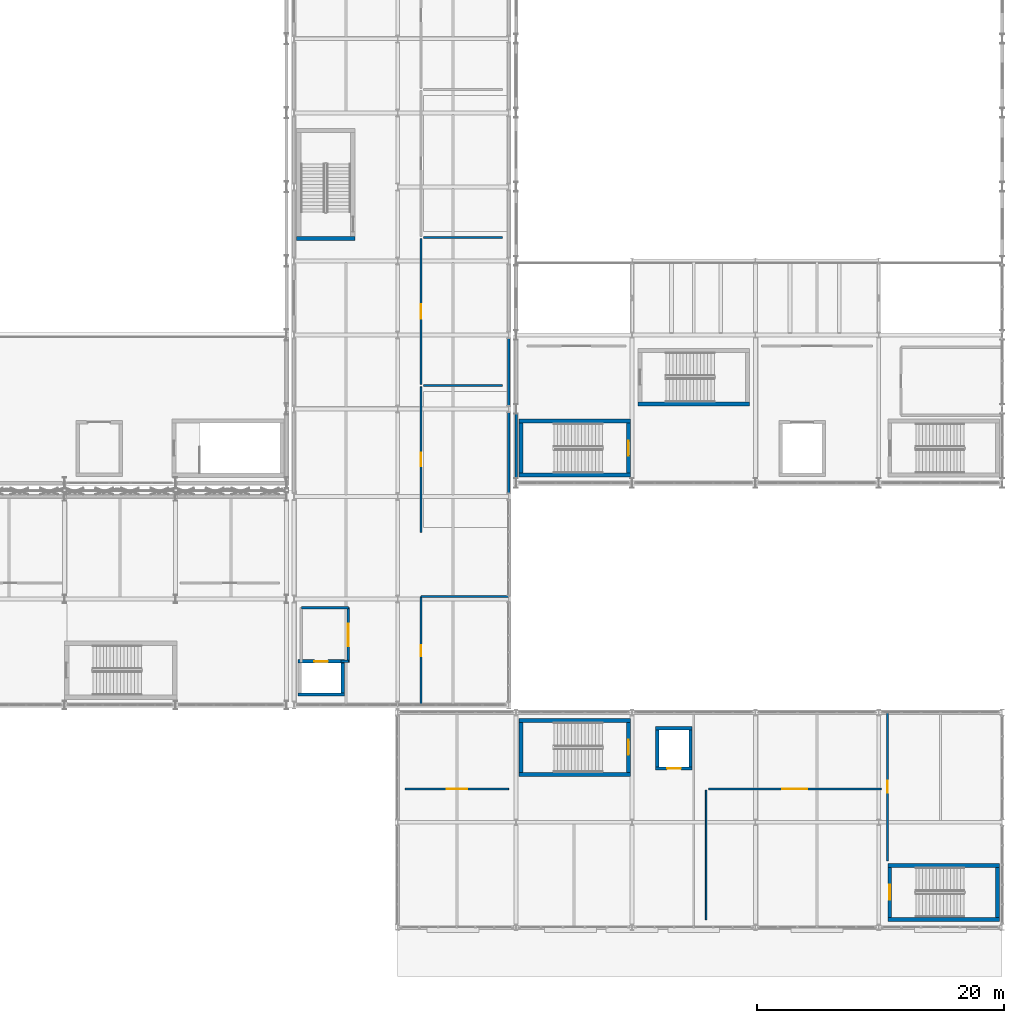
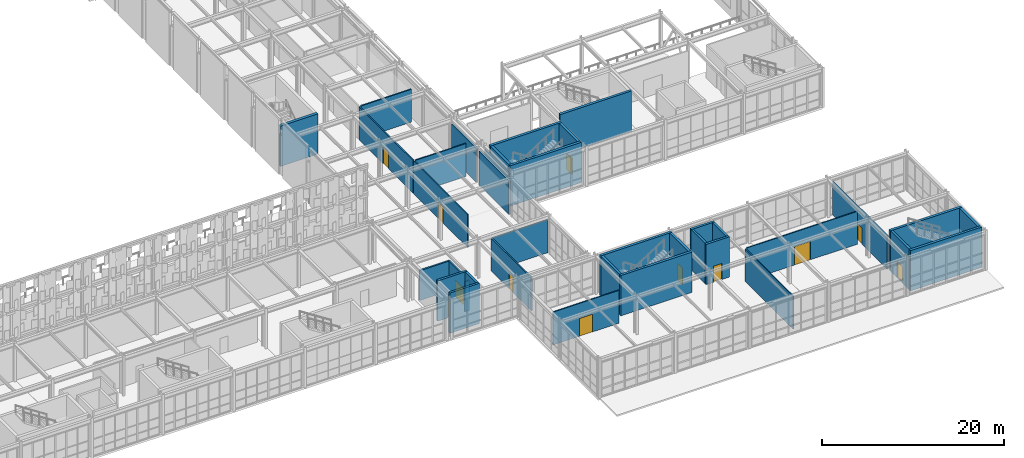
# One storey, part 160 of 210: 37 walls, 12 doors, 12 openings.
"""IFC4 building model written with IfcOpenShell, lengths in metres."""

from ifc_helpers import new_model, si_unit, direction, frame, frame_2d, origin, place, context, subcontext, project, spatial, rectangle, extrude, material, layer, layer_set, type_object, element, fill, save


model = new_model("IFC4")

# Units and contexts
model_context = context("Model", 3, precision=1e-05, world=origin(), true_north=direction((0.0, 1.0)))
body_context = subcontext(model_context, "Body", "Model", "MODEL_VIEW")
ifc_project = project(units=[si_unit("LENGTHUNIT", "METRE"), si_unit("AREAUNIT", "SQUARE_METRE"), si_unit("VOLUMEUNIT", "CUBIC_METRE"), si_unit("PLANEANGLEUNIT", "RADIAN"), si_unit("MASSUNIT", "GRAM", prefix="KILO")], contexts=[model_context])

# Site, building, storey
site_placement = place(None, origin())
site = spatial("IfcSite", under=ifc_project, at=site_placement, CompositionType="ELEMENT")
building_placement = place(site_placement, origin())
building = spatial("IfcBuilding", under=site, at=building_placement, Name="Kaldris Quays Convention Centre", CompositionType="ELEMENT")
storey_placement = place(building_placement, frame((0.0, 0.0, 6.0)))
storey = spatial("IfcBuildingStorey", under=building, at=storey_placement, Name="L01", CompositionType="ELEMENT", Elevation=6.0)

# Walls
ifc_material_1 = material(Name="Anodized aluminium insulated cassette", Category="aluminium")
ifc_layer_1 = layer(ifc_material_1, 0.221923828125)
ifc_layer_set_1 = layer_set([ifc_layer_1], Name="Anodized aluminium insulated cassette")
wall_type_1 = type_object("IfcWallType", Name="EXTERIOR WALL EW06", PredefinedType="STANDARD", material=ifc_layer_set_1)
wall_1_placement = place(storey_placement, frame((164.0, 55.196044921875, 0.0), z_axis=(0.0, 0.0, 1.0), x_axis=(0.0, 1.0, 0.0)))
element("IfcWall", 1, at=wall_1_placement, inside=storey, type_object=wall_type_1, Name="L01 Exterior Wall EW06 289", PredefinedType="STANDARD", context=body_context, shape_type="SweptSolid", body=[
    extrude(rectangle(XDim=6.508056640625, YDim=0.221923828125, at=frame_2d((3.25390625, 0.0))), origin(), (0.0, 0.0, 1.0), 4.51806640625),
])
wall_2_placement = place(storey_placement, frame((164.0, 62.2958984375, 0.0), z_axis=(0.0, 0.0, 1.0), x_axis=(0.0, 1.0, 0.0)))
element("IfcWall", 2, at=wall_2_placement, inside=storey, type_object=wall_type_1, Name="L01 Exterior Wall EW06 291", PredefinedType="STANDARD", context=body_context, shape_type="SweptSolid", body=[
    extrude(rectangle(XDim=5.408203125, YDim=0.221923828125, at=frame_2d((2.7041015625, 0.0))), origin(), (0.0, 0.0, 1.0), 4.51806640625),
])
ifc_layer_2 = layer(ifc_material_1, 0.201904296875)
ifc_layer_set_2 = layer_set([ifc_layer_2], Name="Anodized aluminium insulated cassette")
wall_type_2 = type_object("IfcWallType", Name="EXTERIOR WALL EW07", PredefinedType="STANDARD", material=ifc_layer_set_2)
wall_3_placement = place(storey_placement, frame((164.60009765625, 56.39599609375, 0.0), z_axis=(0.0, 0.0, 1.0), x_axis=(0.0, 1.0, 0.0)))
element("IfcWall", 3, at=wall_3_placement, inside=storey, type_object=wall_type_2, Name="L01 Exterior Wall EW07 120", PredefinedType="STANDARD", context=body_context, shape_type="SweptSolid", body=[
    extrude(rectangle(XDim=5.2080078125, YDim=0.201904296875, at=frame_2d((2.60400390625, 0.0))), origin(), (0.0, 0.0, 1.0), 4.577880859375),
])

# Wall, opening, door
ifc_material_2 = material(Name="Concrete C35/45", Category="concrete")
ifc_layer_3 = layer(ifc_material_2, 0.199951171875)
ifc_layer_set_3 = layer_set([ifc_layer_3], Name="Concrete C35/45")
wall_type_3 = type_object("IfcWallType", Name="INTERIOR WALL IW01", PredefinedType="PARTITIONING", material=ifc_layer_set_3)
wall_4_placement = place(storey_placement, frame((151.0, 41.449951171875, 0.0), z_axis=(0.0, 0.0, 1.0), x_axis=(0.0, 1.0, 0.0)))
wall_4 = element("IfcWall", 4, at=wall_4_placement, inside=storey, type_object=wall_type_3, Name="L01 Firefighting Lift Lobby FL02 Wall E", PredefinedType="PARTITIONING", context=body_context, shape_type="SweptSolid", body=[
    extrude(rectangle(XDim=4.449951171875, YDim=0.199951171875, at=frame_2d((2.22509765625, 0.0))), origin(), (0.0, 0.0, 1.0), 4.0),
])
opening_1_placement = place(wall_4_placement, frame((1.324951171875, 0.0, 0.0)))
opening_1 = element("IfcOpeningElement", 5, at=opening_1_placement, cuts=wall_4, Name="Opening ID02", PredefinedType="OPENING", context=body_context, shape_type="SweptSolid", body=[
    extrude(rectangle(XDim=1.800048828125, YDim=2.199951171875, at=frame_2d((0.89990234375, 1.10009765625))), frame((0.0, 0.10986328125, 0.0), z_axis=(0.0, -1.0, 0.0), x_axis=(1.0, 0.0, 0.0)), (0.0, 0.0, 1.0), 0.219970703125),
])
ifc_material_3 = material(Name="Steel S355J2 fire-resisting door", Category="steel")
door_type_1 = type_object("IfcDoorType", Name="INTERIOR DOOR ID02", OperationType="DOUBLE_DOOR_SINGLE_SWING", PredefinedType="DOOR", material=ifc_material_3)
door_1_placement = place(opening_1_placement, frame((1.800048828125, 0.0, 0.0), z_axis=(0.0, 0.0, 1.0), x_axis=(-1.0, 0.0, 0.0)))
door_1 = element("IfcDoor", 6, at=door_1_placement, inside=storey, type_object=door_type_1, Name="L01 Firefighting Lift Lobby FL02 Fire Door", OperationType="DOUBLE_DOOR_SINGLE_SWING", OverallHeight=2.199951171875, OverallWidth=1.800048828125, PredefinedType="DOOR", context=body_context, shape_type="SweptSolid", body=[
    extrude(rectangle(XDim=1.800048828125, YDim=2.199951171875, at=frame_2d((0.89990234375, 1.10009765625))), frame((0.0, 0.02490234375, 0.0), z_axis=(0.0, -1.0, 0.0), x_axis=(1.0, 0.0, 0.0)), (0.0, 0.0, 1.0), 0.050048828125),
])
fill(opening_1, door_1)

# Walls
wall_5_placement = place(storey_placement, frame((147.199951171875, 45.89990234375, 0.0), z_axis=(0.0, 0.0, 1.0), x_axis=(1.0, 0.0, 0.0)))
element("IfcWall", 7, at=wall_5_placement, inside=storey, type_object=wall_type_3, Name="L01 Firefighting Lift Lobby FL02 Wall N", PredefinedType="PARTITIONING", context=body_context, shape_type="SweptSolid", body=[
    extrude(rectangle(XDim=3.800048828125, YDim=0.199951171875, at=frame_2d((1.89990234375, 0.0))), origin(), (0.0, 0.0, 1.0), 4.0),
])
wall_6_placement = place(storey_placement, frame((150.39990234375, 41.56005859375, 0.0), z_axis=(0.0, 0.0, 1.0), x_axis=(1.0, 0.0, 0.0)))
element("IfcWall", 8, at=wall_6_placement, inside=storey, type_object=wall_type_3, Name="L01 Firefighting Lift Lobby FL02 Wall S", PredefinedType="PARTITIONING", context=body_context, shape_type="SweptSolid", body=[
    extrude(rectangle(XDim=0.60009765625, YDim=0.199951171875, at=frame_2d((0.300048828125, 0.0))), origin(), (0.0, 0.0, 1.0), 4.0),
])

# Wall, opening, door
ifc_material_4 = material(Name="Acoustic gypsum stud partition", Category="gypsum")
ifc_layer_4 = layer(ifc_material_4, 0.177978515625)
ifc_layer_set_4 = layer_set([ifc_layer_4], Name="Acoustic gypsum stud partition")
wall_type_4 = type_object("IfcWallType", Name="INTERIOR WALL IW02", PredefinedType="PARTITIONING", material=ifc_layer_set_4)
wall_7_placement = place(storey_placement, frame((156.89990234375, 38.0, 0.0), z_axis=(0.0, 0.0, 1.0), x_axis=(0.0, 1.0, 0.0)))
wall_7 = element("IfcWall", 9, at=wall_7_placement, inside=storey, type_object=wall_type_4, Name="L01 Interior Wall IW02 60", PredefinedType="PARTITIONING", context=body_context, shape_type="SweptSolid", body=[
    extrude(rectangle(XDim=8.800048828125, YDim=0.177978515625, at=frame_2d((4.39990234375, 0.0))), origin(), (0.0, 0.0, 1.0), 4.39990234375),
])
opening_2_placement = place(wall_7_placement, frame((3.949951171875, 0.0, 0.0)))
opening_2 = element("IfcOpeningElement", 10, at=opening_2_placement, cuts=wall_7, Name="Opening ID12", PredefinedType="OPENING", context=body_context, shape_type="SweptSolid", body=[
    extrude(rectangle(XDim=0.89990234375, YDim=2.080078125, at=frame_2d((0.449951171875, 1.0400390625))), frame((0.0, 0.09912109375, 0.0), z_axis=(0.0, -1.0, 0.0), x_axis=(1.0, 0.0, 0.0)), (0.0, 0.0, 1.0), 0.197998046875),
])
ifc_material_5 = material(Name="Moisture-resistant sanitary room door", Category="wood")
door_type_2 = type_object("IfcDoorType", Name="INTERIOR DOOR ID12", OperationType="NOTDEFINED", PredefinedType="DOOR", material=ifc_material_5)
door_2_placement = place(opening_2_placement, origin())
door_2 = element("IfcDoor", 11, at=door_2_placement, inside=storey, type_object=door_type_2, Name="L01 Interior Door ID12 42", OperationType="SINGLE_SWING_RIGHT", OverallHeight=2.080078125, OverallWidth=0.89990234375, PredefinedType="DOOR", context=body_context, shape_type="SweptSolid", body=[
    extrude(rectangle(XDim=0.89990234375, YDim=2.080078125, at=frame_2d((0.449951171875, 1.0400390625))), frame((0.0, 0.02490234375, 0.0), z_axis=(0.0, -1.0, 0.0), x_axis=(1.0, 0.0, 0.0)), (0.0, 0.0, 1.0), 0.050048828125),
])
fill(opening_2, door_2)

# Wall
wall_8_placement = place(storey_placement, frame((156.89990234375, 46.800048828125, 0.0), z_axis=(0.0, 0.0, 1.0), x_axis=(1.0, 0.0, 0.0)))
element("IfcWall", 12, at=wall_8_placement, inside=storey, type_object=wall_type_4, Name="L01 Interior Wall IW02 61", PredefinedType="PARTITIONING", context=body_context, shape_type="SweptSolid", body=[
    extrude(rectangle(XDim=7.10009765625, YDim=0.177978515625, at=frame_2d((3.550048828125, 0.0))), origin(), (0.0, 0.0, 1.0), 4.39990234375),
])

# Wall, opening, door
wall_9_placement = place(storey_placement, frame((194.699951171875, 25.35498046875, 0.0), z_axis=(0.0, 0.0, 1.0), x_axis=(0.0, 1.0, 0.0)))
wall_9 = element("IfcWall", 13, at=wall_9_placement, inside=storey, type_object=wall_type_4, Name="L01 Interior Wall IW02 78", PredefinedType="PARTITIONING", context=body_context, shape_type="SweptSolid", body=[
    extrude(rectangle(XDim=12.044921875, YDim=0.177978515625, at=frame_2d((6.0224609375, 0.0))), origin(), (0.0, 0.0, 1.0), 4.39990234375),
])
opening_3_placement = place(wall_9_placement, frame((5.532470703125, 0.0, 0.0)))
opening_3 = element("IfcOpeningElement", 14, at=opening_3_placement, cuts=wall_9, Name="Opening ID13", PredefinedType="OPENING", context=body_context, shape_type="SweptSolid", body=[
    extrude(rectangle(XDim=0.97998046875, YDim=2.139892578125, at=frame_2d((0.489990234375, 1.06982421875))), frame((0.0, 0.09912109375, 0.0), z_axis=(0.0, -1.0, 0.0), x_axis=(1.0, 0.0, 0.0)), (0.0, 0.0, 1.0), 0.197998046875),
])
ifc_material_6 = material(Name="SIA 500 accessible sanitary room door", Category="wood")
door_type_3 = type_object("IfcDoorType", Name="INTERIOR DOOR ID13", OperationType="NOTDEFINED", PredefinedType="DOOR", material=ifc_material_6)
door_3_placement = place(opening_3_placement, origin())
door_3 = element("IfcDoor", 15, at=door_3_placement, inside=storey, type_object=door_type_3, Name="L01 Interior Door ID13 52", OperationType="SINGLE_SWING_RIGHT", OverallHeight=2.139892578125, OverallWidth=0.97998046875, PredefinedType="DOOR", context=body_context, shape_type="SweptSolid", body=[
    extrude(rectangle(XDim=0.97998046875, YDim=2.139892578125, at=frame_2d((0.489990234375, 1.06982421875))), frame((0.0, 0.02490234375, 0.0), z_axis=(0.0, -1.0, 0.0), x_axis=(1.0, 0.0, 0.0)), (0.0, 0.0, 1.0), 0.050048828125),
])
fill(opening_3, door_3)

ifc_layer_5 = layer(ifc_material_4, 0.14794921875)
ifc_layer_set_5 = layer_set([ifc_layer_5], Name="Acoustic gypsum stud partition")
wall_type_5 = type_object("IfcWallType", Name="INTERIOR WALL IW04", PredefinedType="PARTITIONING", material=ifc_layer_set_5)
wall_10_placement = place(storey_placement, frame((156.89990234375, 52.0, 0.0), z_axis=(0.0, 0.0, 1.0), x_axis=(0.0, 1.0, 0.0)))
wall_10 = element("IfcWall", 16, at=wall_10_placement, inside=storey, type_object=wall_type_5, Name="L01 Interior Wall IW04 62", PredefinedType="PARTITIONING", context=body_context, shape_type="SweptSolid", body=[
    extrude(rectangle(XDim=11.800048828125, YDim=0.14794921875, at=frame_2d((5.89990234375, 0.0))), origin(), (0.0, 0.0, 1.0), 4.39990234375),
])
opening_4_placement = place(wall_10_placement, frame((5.340087890625, 0.0, 0.0)))
opening_4 = element("IfcOpeningElement", 17, at=opening_4_placement, cuts=wall_10, Name="Opening ID06", PredefinedType="OPENING", context=body_context, shape_type="SweptSolid", body=[
    extrude(rectangle(XDim=1.1201171875, YDim=2.219970703125, at=frame_2d((0.56005859375, 1.10986328125))), frame((0.0, 0.083984375, 0.0), z_axis=(0.0, -1.0, 0.0), x_axis=(1.0, 0.0, 0.0)), (0.0, 0.0, 1.0), 0.16796875),
])
ifc_material_7 = material(Name="Timber acoustic leaf in steel frame", Category="steel")
door_type_4 = type_object("IfcDoorType", Name="INTERIOR DOOR ID06", OperationType="NOTDEFINED", PredefinedType="DOOR", material=ifc_material_7)
door_4_placement = place(opening_4_placement, origin())
door_4 = element("IfcDoor", 18, at=door_4_placement, inside=storey, type_object=door_type_4, Name="L01 Interior Door ID06 43", OperationType="SINGLE_SWING_LEFT", OverallHeight=2.219970703125, OverallWidth=1.1201171875, PredefinedType="DOOR", context=body_context, shape_type="SweptSolid", body=[
    extrude(rectangle(XDim=1.1201171875, YDim=2.219970703125, at=frame_2d((0.56005859375, 1.10986328125))), frame((0.0, 0.02490234375, 0.0), z_axis=(0.0, -1.0, 0.0), x_axis=(1.0, 0.0, 0.0)), (0.0, 0.0, 1.0), 0.050048828125),
])
fill(opening_4, door_4)

wall_11_placement = place(storey_placement, frame((156.89990234375, 64.0, 0.0), z_axis=(0.0, 0.0, 1.0), x_axis=(0.0, 1.0, 0.0)))
wall_11 = element("IfcWall", 19, at=wall_11_placement, inside=storey, type_object=wall_type_5, Name="L01 Interior Wall IW04 63", PredefinedType="PARTITIONING", context=body_context, shape_type="SweptSolid", body=[
    extrude(rectangle(XDim=11.800048828125, YDim=0.14794921875, at=frame_2d((5.89990234375, 0.0))), origin(), (0.0, 0.0, 1.0), 4.39990234375),
])
opening_5_placement = place(wall_11_placement, frame((5.31005859375, 0.0, 0.0)))
opening_5 = element("IfcOpeningElement", 20, at=opening_5_placement, cuts=wall_11, Name="Opening ID07", PredefinedType="OPENING", context=body_context, shape_type="SweptSolid", body=[
    extrude(rectangle(XDim=1.179931640625, YDim=2.25, at=frame_2d((0.58984375, 1.125))), frame((0.0, 0.083984375, 0.0), z_axis=(0.0, -1.0, 0.0), x_axis=(1.0, 0.0, 0.0)), (0.0, 0.0, 1.0), 0.16796875),
])
door_type_5 = type_object("IfcDoorType", Name="INTERIOR DOOR ID07", OperationType="NOTDEFINED", PredefinedType="DOOR", material=ifc_material_7)
door_5_placement = place(opening_5_placement, origin())
door_5 = element("IfcDoor", 21, at=door_5_placement, inside=storey, type_object=door_type_5, Name="L01 Interior Door ID07 44", OperationType="SINGLE_SWING_RIGHT", OverallHeight=2.25, OverallWidth=1.179931640625, PredefinedType="DOOR", context=body_context, shape_type="SweptSolid", body=[
    extrude(rectangle(XDim=1.179931640625, YDim=2.25, at=frame_2d((0.58984375, 1.125))), frame((0.0, 0.02490234375, 0.0), z_axis=(0.0, -1.0, 0.0), x_axis=(1.0, 0.0, 0.0)), (0.0, 0.0, 1.0), 0.050048828125),
])
fill(opening_5, door_5)

ifc_layer_6 = layer(ifc_material_4, 0.134033203125)
ifc_layer_set_6 = layer_set([ifc_layer_6], Name="Acoustic gypsum stud partition")
wall_type_6 = type_object("IfcWallType", Name="INTERIOR WALL IW05", PredefinedType="PARTITIONING", material=ifc_layer_set_6)
wall_12_placement = place(storey_placement, frame((155.60009765625, 31.199951171875, 0.0), z_axis=(0.0, 0.0, 1.0), x_axis=(1.0, 0.0, 0.0)))
wall_12 = element("IfcWall", 22, at=wall_12_placement, inside=storey, type_object=wall_type_6, Name="L01 Interior Wall IW05 75", PredefinedType="PARTITIONING", context=body_context, shape_type="SweptSolid", body=[
    extrude(rectangle(XDim=8.39990234375, YDim=0.134033203125, at=frame_2d((4.199951171875, 0.0))), origin(), (0.0, 0.0, 1.0), 4.39990234375),
])
opening_6_placement = place(wall_12_placement, frame((3.3701171875, 0.0, 0.0)))
opening_6 = element("IfcOpeningElement", 23, at=opening_6_placement, cuts=wall_12, Name="Opening ID22", PredefinedType="OPENING", context=body_context, shape_type="SweptSolid", body=[
    extrude(rectangle(XDim=1.659912109375, YDim=2.3798828125, at=frame_2d((0.830078125, 1.18994140625))), frame((0.0, 0.0771484375, 0.0), z_axis=(0.0, -1.0, 0.0), x_axis=(1.0, 0.0, 0.0)), (0.0, 0.0, 1.0), 0.154052734375),
])
ifc_material_8 = material(Name="Timber breakout double door", Category="wood")
door_type_6 = type_object("IfcDoorType", Name="INTERIOR DOOR ID22", OperationType="DOUBLE_DOOR_SINGLE_SWING", PredefinedType="DOOR", material=ifc_material_8)
door_6_placement = place(opening_6_placement, origin())
door_6 = element("IfcDoor", 24, at=door_6_placement, inside=storey, type_object=door_type_6, Name="L01 Interior Door ID22 50", OperationType="DOUBLE_DOOR_SINGLE_SWING", OverallHeight=2.3798828125, OverallWidth=1.659912109375, PredefinedType="DOOR", context=body_context, shape_type="SweptSolid", body=[
    extrude(rectangle(XDim=1.659912109375, YDim=2.3798828125, at=frame_2d((0.830078125, 1.18994140625))), frame((0.0, 0.02490234375, 0.0), z_axis=(0.0, -1.0, 0.0), x_axis=(1.0, 0.0, 0.0)), (0.0, 0.0, 1.0), 0.050048828125),
])
fill(opening_6, door_6)

wall_13_placement = place(storey_placement, frame((180.199951171875, 31.199951171875, 0.0), z_axis=(0.0, 0.0, 1.0), x_axis=(1.0, 0.0, 0.0)))
wall_13 = element("IfcWall", 25, at=wall_13_placement, inside=storey, type_object=wall_type_6, Name="L01 Interior Wall IW05 76", PredefinedType="PARTITIONING", context=body_context, shape_type="SweptSolid", body=[
    extrude(rectangle(XDim=14.0, YDim=0.134033203125, at=frame_2d((7.0, 0.0))), origin(), (0.0, 0.0, 1.0), 4.39990234375),
])
opening_7_placement = place(wall_13_placement, frame((5.989990234375, 0.0, 0.0)))
opening_7 = element("IfcOpeningElement", 26, at=opening_7_placement, cuts=wall_13, Name="Opening ID23", PredefinedType="OPENING", context=body_context, shape_type="SweptSolid", body=[
    extrude(rectangle(XDim=2.02001953125, YDim=2.4599609375, at=frame_2d((1.010009765625, 1.22998046875))), frame((0.0, 0.0771484375, 0.0), z_axis=(0.0, -1.0, 0.0), x_axis=(1.0, 0.0, 0.0)), (0.0, 0.0, 1.0), 0.154052734375),
])
ifc_material_9 = material(Name="Glazed hospitality double door", Category="aluminium")
door_type_7 = type_object("IfcDoorType", Name="INTERIOR DOOR ID23", OperationType="DOUBLE_DOOR_SINGLE_SWING", PredefinedType="DOOR", material=ifc_material_9)
door_7_placement = place(opening_7_placement, origin())
door_7 = element("IfcDoor", 27, at=door_7_placement, inside=storey, type_object=door_type_7, Name="L01 Interior Door ID23 51", OperationType="DOUBLE_DOOR_SINGLE_SWING", OverallHeight=2.4599609375, OverallWidth=2.02001953125, PredefinedType="DOOR", context=body_context, shape_type="SweptSolid", body=[
    extrude(rectangle(XDim=2.02001953125, YDim=2.4599609375, at=frame_2d((1.010009765625, 1.22998046875))), frame((0.0, 0.02490234375, 0.0), z_axis=(0.0, -1.0, 0.0), x_axis=(1.0, 0.0, 0.0)), (0.0, 0.0, 1.0), 0.050048828125),
])
fill(opening_7, door_7)

# Walls
ifc_layer_7 = layer(ifc_material_4, 0.1201171875)
ifc_layer_set_7 = layer_set([ifc_layer_7], Name="Acoustic gypsum stud partition")
wall_type_7 = type_object("IfcWallType", Name="INTERIOR WALL IW06", PredefinedType="PARTITIONING", material=ifc_layer_set_7)
wall_14_placement = place(storey_placement, frame((180.0, 20.60009765625, 0.0), z_axis=(0.0, 0.0, 1.0), x_axis=(0.0, 1.0, 0.0)))
element("IfcWall", 28, at=wall_14_placement, inside=storey, type_object=wall_type_7, Name="L01 Interior Wall IW06 77", PredefinedType="PARTITIONING", context=body_context, shape_type="SweptSolid", body=[
    extrude(rectangle(XDim=10.5, YDim=0.1201171875, at=frame_2d((5.25, 0.0))), origin(), (0.0, 0.0, 1.0), 4.39990234375),
])
ifc_material_10 = material(Name="Steel S355J2 acoustic operable panel", Category="steel")
ifc_layer_8 = layer(ifc_material_10, 0.14208984375)
ifc_layer_set_8 = layer_set([ifc_layer_8], Name="Steel S355J2 acoustic operable panel")
wall_type_8 = type_object("IfcWallType", Name="INTERIOR WALL MW01", PredefinedType="MOVABLE", material=ifc_layer_set_8)
wall_15_placement = place(storey_placement, frame((157.10009765625, 63.89990234375, 0.0), z_axis=(0.0, 0.0, 1.0), x_axis=(1.0, 0.0, 0.0)))
element("IfcWall", 29, at=wall_15_placement, inside=storey, type_object=wall_type_8, Name="L01 Interior Wall MW01 68", PredefinedType="MOVABLE", context=body_context, shape_type="SweptSolid", body=[
    extrude(rectangle(XDim=6.39990234375, YDim=0.14208984375, at=frame_2d((3.199951171875, 0.0))), origin(), (0.0, 0.0, 1.0), 4.39990234375),
])
ifc_layer_9 = layer(ifc_material_10, 0.16796875)
ifc_layer_set_9 = layer_set([ifc_layer_9], Name="Steel S355J2 acoustic operable panel")
wall_type_9 = type_object("IfcWallType", Name="INTERIOR WALL MW02", PredefinedType="MOVABLE", material=ifc_layer_set_9)
wall_16_placement = place(storey_placement, frame((157.10009765625, 75.89990234375, 0.0), z_axis=(0.0, 0.0, 1.0), x_axis=(1.0, 0.0, 0.0)))
element("IfcWall", 30, at=wall_16_placement, inside=storey, type_object=wall_type_9, Name="L01 Interior Wall MW02 69", PredefinedType="MOVABLE", context=body_context, shape_type="SweptSolid", body=[
    extrude(rectangle(XDim=6.39990234375, YDim=0.16796875, at=frame_2d((3.199951171875, 0.0))), origin(), (0.0, 0.0, 1.0), 4.39990234375),
])
ifc_material_11 = material(Name="Concrete C40/50", Category="concrete")
ifc_layer_10 = layer(ifc_material_11, 0.35009765625)
ifc_layer_set_10 = layer_set([ifc_layer_10], Name="Concrete C40/50")
wall_type_10 = type_object("IfcWallType", Name="STRUCTURAL WALL SW01", PredefinedType="SHEAR", material=ifc_layer_set_10)
wall_17_placement = place(storey_placement, frame((146.800048828125, 75.824951171875, 0.0), z_axis=(0.0, 0.0, 1.0), x_axis=(1.0, 0.0, 0.0)))
element("IfcWall", 31, at=wall_17_placement, inside=storey, type_object=wall_type_10, Name="L01 Core Shear Wall CORE-ST14-L01-S", PredefinedType="SHEAR", context=body_context, shape_type="SweptSolid", body=[
    extrude(rectangle(XDim=4.75, YDim=0.35009765625, at=frame_2d((2.375, 0.0))), origin(), (0.0, 0.0, 1.0), 5.39990234375),
])
ifc_layer_11 = layer(ifc_material_11, 0.320068359375)
ifc_layer_set_11 = layer_set([ifc_layer_11], Name="Concrete C40/50")
wall_type_11 = type_object("IfcWallType", Name="STRUCTURAL WALL SW02", PredefinedType="SHEAR", material=ifc_layer_set_11)
for number, where, z_axis, x_axis, name in (
    (32, (164.830078125, 56.639892578125, 0.0), (0.0, 0.0, 1.0), (1.0, 0.0, 0.0), "L01 Core Shear Wall CORE-ST08-L01-S"),
    (33, (164.830078125, 61.010009765625, 0.0), (0.0, 0.0, 1.0), (1.0, 0.0, 0.0), "L01 Core Shear Wall CORE-ST08-L01-N"),
):
    element("IfcWall", number, at=place(storey_placement, frame(where, z_axis=z_axis, x_axis=x_axis)), inside=storey, type_object=wall_type_11, Name=name, PredefinedType="SHEAR", context=body_context, shape_type="SweptSolid", body=[
        extrude(rectangle(XDim=9.0400390625, YDim=0.320068359375, at=frame_2d((4.52001953125, 0.0))), origin(), (0.0, 0.0, 1.0), 5.39990234375),
    ])
wall_18_placement = place(storey_placement, frame((164.989990234375, 56.800048828125, 0.0), z_axis=(0.0, 0.0, 1.0), x_axis=(0.0, 1.0, 0.0)))
element("IfcWall", 34, at=wall_18_placement, inside=storey, type_object=wall_type_11, Name="L01 Core Shear Wall CORE-ST08-L01-W", PredefinedType="SHEAR", context=body_context, shape_type="SweptSolid", body=[
    extrude(rectangle(XDim=4.050048828125, YDim=0.320068359375, at=frame_2d((2.02490234375, 0.0))), origin(), (0.0, 0.0, 1.0), 5.39990234375),
])

# Wall, opening, door
wall_19_placement = place(storey_placement, frame((173.7099609375, 56.800048828125, 0.0), z_axis=(0.0, 0.0, 1.0), x_axis=(0.0, 1.0, 0.0)))
wall_19 = element("IfcWall", 35, at=wall_19_placement, inside=storey, type_object=wall_type_11, Name="L01 Core Shear Wall CORE-ST08-L01-E", PredefinedType="SHEAR", context=body_context, shape_type="SweptSolid", body=[
    extrude(rectangle(XDim=4.050048828125, YDim=0.320068359375, at=frame_2d((2.02490234375, 0.0))), origin(), (0.0, 0.0, 1.0), 5.39990234375),
])
opening_8_placement = place(wall_19_placement, frame((1.425048828125, 0.0, 0.0)))
opening_8 = element("IfcOpeningElement", 36, at=opening_8_placement, cuts=wall_19, Name="Opening ID03", PredefinedType="OPENING", context=body_context, shape_type="SweptSolid", body=[
    extrude(rectangle(XDim=1.199951171875, YDim=2.199951171875, at=frame_2d((0.60009765625, 1.10009765625))), frame((0.0, 0.169921875, 0.0), z_axis=(0.0, -1.0, 0.0), x_axis=(1.0, 0.0, 0.0)), (0.0, 0.0, 1.0), 0.340087890625),
])
door_type_8 = type_object("IfcDoorType", Name="INTERIOR DOOR ID03", OperationType="NOTDEFINED", PredefinedType="DOOR", material=ifc_material_3)
door_8_placement = place(opening_8_placement, origin())
door_8 = element("IfcDoor", 37, at=door_8_placement, inside=storey, type_object=door_type_8, Name="L01 Escape Stair ST08 Fire Door", OperationType="SINGLE_SWING_LEFT", OverallHeight=2.199951171875, OverallWidth=1.199951171875, PredefinedType="DOOR", context=body_context, shape_type="SweptSolid", body=[
    extrude(rectangle(XDim=1.199951171875, YDim=2.199951171875, at=frame_2d((0.60009765625, 1.10009765625))), frame((0.0, 0.02490234375, 0.0), z_axis=(0.0, -1.0, 0.0), x_axis=(1.0, 0.0, 0.0)), (0.0, 0.0, 1.0), 0.050048828125),
])
fill(opening_8, door_8)

# Walls
for number, where, z_axis, x_axis, name in (
    (38, (174.47998046875, 62.389892578125, 0.0), (0.0, 0.0, 1.0), (1.0, 0.0, 0.0), "L01 Core Shear Wall CORE-ST10-L01-S"),
    (39, (164.830078125, 32.389892578125, 0.0), (0.0, 0.0, 1.0), (1.0, 0.0, 0.0), "L01 Core Shear Wall CORE-ST15-L01-S"),
    (40, (164.830078125, 36.760009765625, 0.0), (0.0, 0.0, 1.0), (1.0, 0.0, 0.0), "L01 Core Shear Wall CORE-ST15-L01-N"),
):
    element("IfcWall", number, at=place(storey_placement, frame(where, z_axis=z_axis, x_axis=x_axis)), inside=storey, type_object=wall_type_11, Name=name, PredefinedType="SHEAR", context=body_context, shape_type="SweptSolid", body=[
        extrude(rectangle(XDim=9.0400390625, YDim=0.320068359375, at=frame_2d((4.52001953125, 0.0))), origin(), (0.0, 0.0, 1.0), 5.39990234375),
    ])
wall_20_placement = place(storey_placement, frame((164.989990234375, 32.550048828125, 0.0), z_axis=(0.0, 0.0, 1.0), x_axis=(0.0, 1.0, 0.0)))
element("IfcWall", 41, at=wall_20_placement, inside=storey, type_object=wall_type_11, Name="L01 Core Shear Wall CORE-ST15-L01-W", PredefinedType="SHEAR", context=body_context, shape_type="SweptSolid", body=[
    extrude(rectangle(XDim=4.050048828125, YDim=0.320068359375, at=frame_2d((2.02490234375, 0.0))), origin(), (0.0, 0.0, 1.0), 5.39990234375),
])

# Wall, opening, door
wall_21_placement = place(storey_placement, frame((173.7099609375, 32.550048828125, 0.0), z_axis=(0.0, 0.0, 1.0), x_axis=(0.0, 1.0, 0.0)))
wall_21 = element("IfcWall", 42, at=wall_21_placement, inside=storey, type_object=wall_type_11, Name="L01 Core Shear Wall CORE-ST15-L01-E", PredefinedType="SHEAR", context=body_context, shape_type="SweptSolid", body=[
    extrude(rectangle(XDim=4.050048828125, YDim=0.320068359375, at=frame_2d((2.02490234375, 0.0))), origin(), (0.0, 0.0, 1.0), 5.39990234375),
])
opening_9_placement = place(wall_21_placement, frame((1.425048828125, 0.0, 0.0)))
opening_9 = element("IfcOpeningElement", 43, at=opening_9_placement, cuts=wall_21, Name="Opening ID03", PredefinedType="OPENING", context=body_context, shape_type="SweptSolid", body=[
    extrude(rectangle(XDim=1.199951171875, YDim=2.199951171875, at=frame_2d((0.60009765625, 1.10009765625))), frame((0.0, 0.169921875, 0.0), z_axis=(0.0, -1.0, 0.0), x_axis=(1.0, 0.0, 0.0)), (0.0, 0.0, 1.0), 0.340087890625),
])
door_9_placement = place(opening_9_placement, origin())
door_9 = element("IfcDoor", 44, at=door_9_placement, inside=storey, type_object=door_type_8, Name="L01 Escape Stair ST15 Fire Door", OperationType="SINGLE_SWING_LEFT", OverallHeight=2.199951171875, OverallWidth=1.199951171875, PredefinedType="DOOR", context=body_context, shape_type="SweptSolid", body=[
    extrude(rectangle(XDim=1.199951171875, YDim=2.199951171875, at=frame_2d((0.60009765625, 1.10009765625))), frame((0.0, 0.02490234375, 0.0), z_axis=(0.0, -1.0, 0.0), x_axis=(1.0, 0.0, 0.0)), (0.0, 0.0, 1.0), 0.050048828125),
])
fill(opening_9, door_9)

# Walls
for number, where, z_axis, x_axis, name in (
    (45, (194.72998046875, 20.639892578125, 0.0), (0.0, 0.0, 1.0), (1.0, 0.0, 0.0), "L01 Core Shear Wall CORE-ST16-L01-S"),
    (46, (194.72998046875, 25.010009765625, 0.0), (0.0, 0.0, 1.0), (1.0, 0.0, 0.0), "L01 Core Shear Wall CORE-ST16-L01-N"),
):
    element("IfcWall", number, at=place(storey_placement, frame(where, z_axis=z_axis, x_axis=x_axis)), inside=storey, type_object=wall_type_11, Name=name, PredefinedType="SHEAR", context=body_context, shape_type="SweptSolid", body=[
        extrude(rectangle(XDim=9.0400390625, YDim=0.320068359375, at=frame_2d((4.52001953125, 0.0))), origin(), (0.0, 0.0, 1.0), 5.39990234375),
    ])

# Wall, opening, door
wall_22_placement = place(storey_placement, frame((194.889892578125, 20.800048828125, 0.0), z_axis=(0.0, 0.0, 1.0), x_axis=(0.0, 1.0, 0.0)))
wall_22 = element("IfcWall", 47, at=wall_22_placement, inside=storey, type_object=wall_type_11, Name="L01 Core Shear Wall CORE-ST16-L01-W", PredefinedType="SHEAR", context=body_context, shape_type="SweptSolid", body=[
    extrude(rectangle(XDim=4.050048828125, YDim=0.320068359375, at=frame_2d((2.02490234375, 0.0))), origin(), (0.0, 0.0, 1.0), 5.39990234375),
])
opening_10_placement = place(wall_22_placement, frame((1.425048828125, 0.0, 0.0)))
opening_10 = element("IfcOpeningElement", 48, at=opening_10_placement, cuts=wall_22, Name="Opening ID03", PredefinedType="OPENING", context=body_context, shape_type="SweptSolid", body=[
    extrude(rectangle(XDim=1.199951171875, YDim=2.199951171875, at=frame_2d((0.60009765625, 1.10009765625))), frame((0.0, 0.169921875, 0.0), z_axis=(0.0, -1.0, 0.0), x_axis=(1.0, 0.0, 0.0)), (0.0, 0.0, 1.0), 0.340087890625),
])
door_10_placement = place(opening_10_placement, frame((1.199951171875, 0.0, 0.0), z_axis=(0.0, 0.0, 1.0), x_axis=(-1.0, 0.0, 0.0)))
door_10 = element("IfcDoor", 49, at=door_10_placement, inside=storey, type_object=door_type_8, Name="L01 Escape Stair ST16 Fire Door", OperationType="SINGLE_SWING_RIGHT", OverallHeight=2.199951171875, OverallWidth=1.199951171875, PredefinedType="DOOR", context=body_context, shape_type="SweptSolid", body=[
    extrude(rectangle(XDim=1.199951171875, YDim=2.199951171875, at=frame_2d((0.60009765625, 1.10009765625))), frame((0.0, 0.02490234375, 0.0), z_axis=(0.0, -1.0, 0.0), x_axis=(1.0, 0.0, 0.0)), (0.0, 0.0, 1.0), 0.050048828125),
])
fill(opening_10, door_10)

# Walls
wall_23_placement = place(storey_placement, frame((203.610107421875, 20.800048828125, 0.0), z_axis=(0.0, 0.0, 1.0), x_axis=(0.0, 1.0, 0.0)))
element("IfcWall", 50, at=wall_23_placement, inside=storey, type_object=wall_type_11, Name="L01 Core Shear Wall CORE-ST16-L01-E", PredefinedType="SHEAR", context=body_context, shape_type="SweptSolid", body=[
    extrude(rectangle(XDim=4.050048828125, YDim=0.320068359375, at=frame_2d((2.02490234375, 0.0))), origin(), (0.0, 0.0, 1.0), 5.39990234375),
])
ifc_layer_12 = layer(ifc_material_11, 0.280029296875)
ifc_layer_set_12 = layer_set([ifc_layer_12], Name="Concrete C40/50")
wall_type_12 = type_object("IfcWallType", Name="STRUCTURAL WALL SW03", PredefinedType="SHEAR", material=ifc_layer_set_12)
wall_24_placement = place(storey_placement, frame((146.919921875, 38.860107421875, 0.0), z_axis=(0.0, 0.0, 1.0), x_axis=(1.0, 0.0, 0.0)))
element("IfcWall", 51, at=wall_24_placement, inside=storey, type_object=wall_type_12, Name="L01 Core Shear Wall LSHAFT-FL02-L01-S", PredefinedType="SHEAR", context=body_context, shape_type="SweptSolid", body=[
    extrude(rectangle(XDim=3.760009765625, YDim=0.280029296875, at=frame_2d((1.8798828125, 0.0))), origin(), (0.0, 0.0, 1.0), 5.39990234375),
])

# Wall, opening, door
wall_25_placement = place(storey_placement, frame((146.919921875, 41.5400390625, 0.0), z_axis=(0.0, 0.0, 1.0), x_axis=(1.0, 0.0, 0.0)))
wall_25 = element("IfcWall", 52, at=wall_25_placement, inside=storey, type_object=wall_type_12, Name="L01 Core Shear Wall LSHAFT-FL02-L01-N", PredefinedType="SHEAR", context=body_context, shape_type="SweptSolid", body=[
    extrude(rectangle(XDim=3.760009765625, YDim=0.280029296875, at=frame_2d((1.8798828125, 0.0))), origin(), (0.0, 0.0, 1.0), 5.39990234375),
])
opening_11_placement = place(wall_25_placement, frame((1.330078125, 0.0, 0.0)))
opening_11 = element("IfcOpeningElement", 53, at=opening_11_placement, cuts=wall_25, Name="Opening LD01", PredefinedType="OPENING", context=body_context, shape_type="SweptSolid", body=[
    extrude(rectangle(XDim=1.10009765625, YDim=2.14990234375, at=frame_2d((0.550048828125, 1.074951171875))), frame((0.0, 0.14990234375, 0.0), z_axis=(0.0, -1.0, 0.0), x_axis=(1.0, 0.0, 0.0)), (0.0, 0.0, 1.0), 0.300048828125),
])
ifc_material_12 = material(Name="Stainless steel 1.4301 lift landing door", Category="steel")
door_type_9 = type_object("IfcDoorType", Name="INTERIOR DOOR LD01", OperationType="DOUBLE_DOOR_SLIDING", PredefinedType="DOOR", material=ifc_material_12)
door_11_placement = place(opening_11_placement, origin())
door_11 = element("IfcDoor", 54, at=door_11_placement, inside=storey, type_object=door_type_9, Name="L01 FL02 Sliding Lift Landing Door", OperationType="DOUBLE_DOOR_SLIDING", OverallHeight=2.14990234375, OverallWidth=1.10009765625, PredefinedType="DOOR", context=body_context, shape_type="SweptSolid", body=[
    extrude(rectangle(XDim=1.10009765625, YDim=2.14990234375, at=frame_2d((0.550048828125, 1.074951171875))), frame((0.0, 0.02490234375, 0.0), z_axis=(0.0, -1.0, 0.0), x_axis=(1.0, 0.0, 0.0)), (0.0, 0.0, 1.0), 0.050048828125),
])
fill(opening_11, door_11)

# Wall
wall_26_placement = place(storey_placement, frame((150.5400390625, 39.0, 0.0), z_axis=(0.0, 0.0, 1.0), x_axis=(0.0, 1.0, 0.0)))
element("IfcWall", 55, at=wall_26_placement, inside=storey, type_object=wall_type_12, Name="L01 Core Shear Wall LSHAFT-FL02-L01-E", PredefinedType="SHEAR", context=body_context, shape_type="SweptSolid", body=[
    extrude(rectangle(XDim=2.39990234375, YDim=0.280029296875, at=frame_2d((1.199951171875, 0.0))), origin(), (0.0, 0.0, 1.0), 5.39990234375),
])

# Wall, opening, door
wall_27_placement = place(storey_placement, frame((175.919921875, 32.860107421875, 0.0), z_axis=(0.0, 0.0, 1.0), x_axis=(1.0, 0.0, 0.0)))
wall_27 = element("IfcWall", 56, at=wall_27_placement, inside=storey, type_object=wall_type_12, Name="L01 Core Shear Wall LSHAFT-PL02-L01-S", PredefinedType="SHEAR", context=body_context, shape_type="SweptSolid", body=[
    extrude(rectangle(XDim=2.9599609375, YDim=0.280029296875, at=frame_2d((1.47998046875, 0.0))), origin(), (0.0, 0.0, 1.0), 5.39990234375),
])
opening_12_placement = place(wall_27_placement, frame((0.929931640625, 0.0, 0.0)))
opening_12 = element("IfcOpeningElement", 57, at=opening_12_placement, cuts=wall_27, Name="Opening LD01", PredefinedType="OPENING", context=body_context, shape_type="SweptSolid", body=[
    extrude(rectangle(XDim=1.10009765625, YDim=2.14990234375, at=frame_2d((0.550048828125, 1.074951171875))), frame((0.0, 0.14990234375, 0.0), z_axis=(0.0, -1.0, 0.0), x_axis=(1.0, 0.0, 0.0)), (0.0, 0.0, 1.0), 0.300048828125),
])
door_12_placement = place(opening_12_placement, origin())
door_12 = element("IfcDoor", 58, at=door_12_placement, inside=storey, type_object=door_type_9, Name="L01 PL02 Sliding Lift Landing Door", OperationType="DOUBLE_DOOR_SLIDING", OverallHeight=2.14990234375, OverallWidth=1.10009765625, PredefinedType="DOOR", context=body_context, shape_type="SweptSolid", body=[
    extrude(rectangle(XDim=1.10009765625, YDim=2.14990234375, at=frame_2d((0.550048828125, 1.074951171875))), frame((0.0, 0.02490234375, 0.0), z_axis=(0.0, -1.0, 0.0), x_axis=(1.0, 0.0, 0.0)), (0.0, 0.0, 1.0), 0.050048828125),
])
fill(opening_12, door_12)

# Walls
wall_28_placement = place(storey_placement, frame((175.919921875, 36.139892578125, 0.0), z_axis=(0.0, 0.0, 1.0), x_axis=(1.0, 0.0, 0.0)))
element("IfcWall", 59, at=wall_28_placement, inside=storey, type_object=wall_type_12, Name="L01 Core Shear Wall LSHAFT-PL02-L01-N", PredefinedType="SHEAR", context=body_context, shape_type="SweptSolid", body=[
    extrude(rectangle(XDim=2.9599609375, YDim=0.280029296875, at=frame_2d((1.47998046875, 0.0))), origin(), (0.0, 0.0, 1.0), 5.39990234375),
])
for number, where, z_axis, x_axis, name in (
    (60, (176.06005859375, 33.0, 0.0), (0.0, 0.0, 1.0), (0.0, 1.0, 0.0), "L01 Core Shear Wall LSHAFT-PL02-L01-W"),
    (61, (178.739990234375, 33.0, 0.0), (0.0, 0.0, 1.0), (0.0, 1.0, 0.0), "L01 Core Shear Wall LSHAFT-PL02-L01-E"),
):
    element("IfcWall", number, at=place(storey_placement, frame(where, z_axis=z_axis, x_axis=x_axis)), inside=storey, type_object=wall_type_12, Name=name, PredefinedType="SHEAR", context=body_context, shape_type="SweptSolid", body=[
        extrude(rectangle(XDim=3.0, YDim=0.280029296875, at=frame_2d((1.5, 0.0))), origin(), (0.0, 0.0, 1.0), 5.39990234375),
    ])

save(model, "model.ifc")
